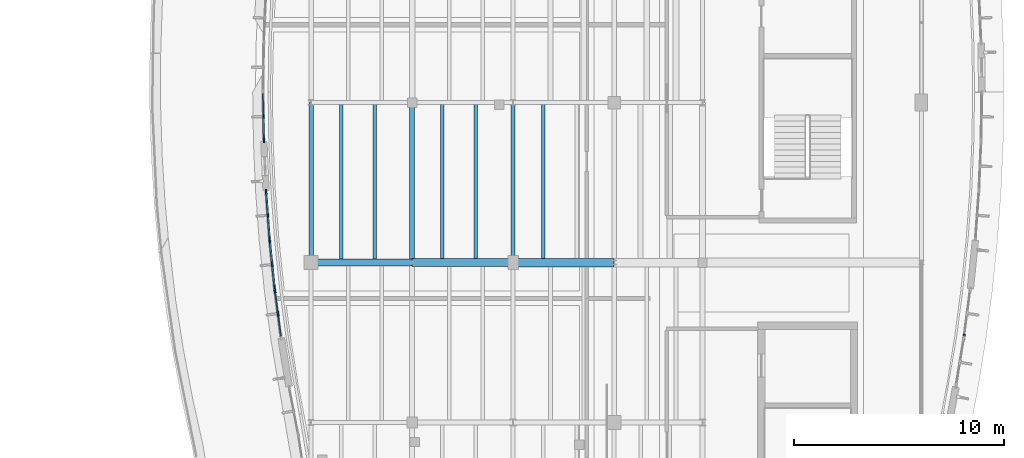
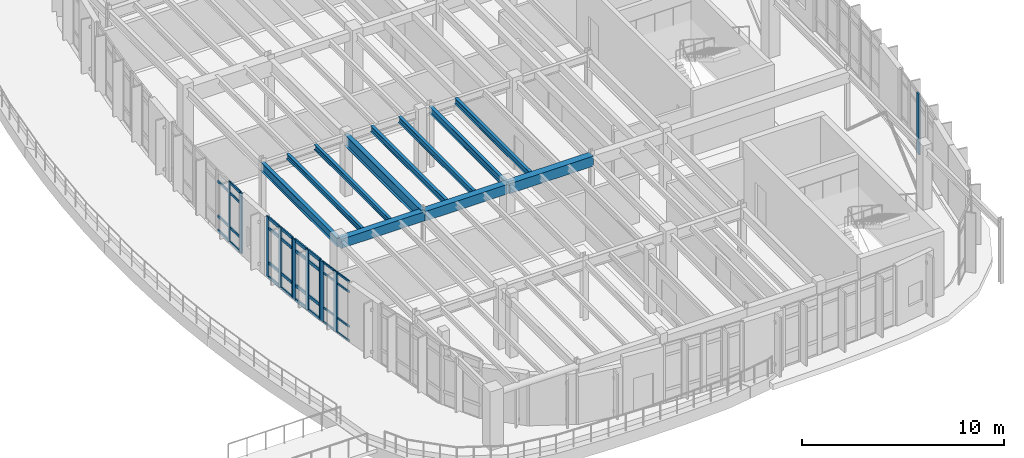
# One storey, part 43 of 105: 42 members, 11 beams, 5 elements without a shape of their own.
"""IFC4 building model written with IfcOpenShell, lengths in metres."""

import ifcopenshell
import ifcopenshell.guid

model = None  # the IFC model being written
_history = None  # IfcOwnerHistory: only IFC2X3 demands one
_inside = {}  # id of a spatial element -> (the spatial element, [elements in it])
_under = {}  # id of a project, library or spatial element -> (it, [spatial elements below it])
_declared = {}  # id of a project -> (the project, [libraries it declares])
_typed = {}  # id of a type object -> (the type object, [elements of that type])
_made_of = {}  # id of a material, layer set ... -> (it, [elements and type objects made of it])


def new_model(schema):
    """Start an empty IFC model of exactly this schema.

    Asked for "IFC4X3", IfcOpenShell would pick the latest addendum, in which some entities
    have other attributes; the version numbers below select the first issue.
    IFC2X3 requires an IfcOwnerHistory on every rooted entity: one is made here for all.
    """
    global model, _history
    if schema == "IFC4X3":
        model = ifcopenshell.file(schema_version=(4, 3, 0, 0))
    else:
        model = ifcopenshell.file(schema=schema)
    _inside.clear()
    _under.clear()
    _declared.clear()
    _typed.clear()
    _made_of.clear()
    _history = None
    if model.schema == "IFC2X3":
        org = make("IfcOrganization", Name="unknown")
        user = make(
            "IfcPersonAndOrganization",
            ThePerson=make("IfcPerson", FamilyName="unknown"),
            TheOrganization=org,
        )
        app = make(
            "IfcApplication",
            ApplicationDeveloper=org,
            Version="unknown",
            ApplicationFullName="unknown",
            ApplicationIdentifier="unknown",
        )
        _history = make(
            "IfcOwnerHistory",
            OwningUser=user,
            OwningApplication=app,
            ChangeAction="ADDED",
            CreationDate=0,
        )
    return model


def make(cls, **values):
    """One entity of the class cls with the attributes given. An attribute that is None is left unset."""
    return model.create_entity(
        cls, **{name: value for name, value in values.items() if value is not None}
    )


def rooted(cls, **values):
    """An entity with a GlobalId (a new one), such as an element, a storey or a relation."""
    return make(cls, GlobalId=ifcopenshell.guid.new(), OwnerHistory=_history, **values)


def si_unit(unit_type, name, prefix=None):
    """IfcSIUnit, for example si_unit("LENGTHUNIT", "METRE", prefix="MILLI")."""
    return make("IfcSIUnit", UnitType=unit_type, Prefix=prefix, Name=name)


def assignment(units):
    """IfcUnitAssignment: the units of a project."""
    return None if units is None else make("IfcUnitAssignment", Units=units)


def point(xyz):
    """IfcCartesianPoint."""
    return None if xyz is None else make("IfcCartesianPoint", Coordinates=xyz)


def direction(xyz):
    """IfcDirection."""
    return None if xyz is None else make("IfcDirection", DirectionRatios=xyz)


def frame(location, z_axis=None, x_axis=None):
    """IfcAxis2Placement3D, a coordinate frame: its origin and axes. An axis left out is left unset."""
    return make(
        "IfcAxis2Placement3D",
        Location=point(location),
        Axis=direction(z_axis),
        RefDirection=direction(x_axis),
    )


def frame_2d(location, x_axis=None):
    """IfcAxis2Placement2D, a coordinate frame in the plane: its origin and x axis."""
    return make(
        "IfcAxis2Placement2D", Location=point(location), RefDirection=direction(x_axis)
    )


def origin():
    """The frame at (0, 0, 0) with its axes left unset."""
    return frame((0.0, 0.0, 0.0))


def origin_2d():
    """The frame at (0, 0) in the plane with its x axis left unset."""
    return frame_2d((0.0, 0.0))


def place(relative_to, where):
    """IfcLocalPlacement: puts the frame where relative to a parent placement (None: the world)."""
    return make(
        "IfcLocalPlacement", PlacementRelTo=relative_to, RelativePlacement=where
    )


def context(
    kind, dimensions, precision=None, world=None, true_north=None, identifier=None
):
    """IfcGeometricRepresentationContext, for example the 3D "Model" context."""
    return make(
        "IfcGeometricRepresentationContext",
        ContextIdentifier=identifier,
        ContextType=kind,
        CoordinateSpaceDimension=dimensions,
        Precision=precision,
        WorldCoordinateSystem=world,
        TrueNorth=true_north,
    )


def subcontext(parent, identifier, kind, view, scale=None):
    """IfcGeometricRepresentationSubContext, for example "Body" below "Model"."""
    return make(
        "IfcGeometricRepresentationSubContext",
        ContextIdentifier=identifier,
        ContextType=kind,
        ParentContext=parent,
        TargetScale=scale,
        TargetView=view,
    )


def project(units=None, contexts=None):
    """IfcProject with its units and contexts."""
    return rooted(
        "IfcProject",
        Name="project",
        RepresentationContexts=contexts,
        UnitsInContext=assignment(units),
    )


def spatial(cls, under=None, at=None, **own):
    """A site, building, storey or space (cls), placed at a placement, below another one or the project."""
    s = rooted(cls, ObjectPlacement=at, **own)
    if under is not None:
        _under.setdefault(under.id(), (under, []))[1].append(s)
    return s


def profile(cls, at=None, kind="AREA", **sizes):
    """A parametric profile (cls). Its sizes go by their IFC names, for example OverallWidth=200.0."""
    return make(cls, ProfileType=kind, Position=at, **sizes)


def rectangle(**sizes):
    """IfcRectangleProfileDef."""
    return profile("IfcRectangleProfileDef", **sizes)


def i_section(**sizes):
    """IfcIShapeProfileDef."""
    return profile("IfcIShapeProfileDef", **sizes)


def extrude(swept, where, along, depth):
    """IfcExtrudedAreaSolid: the profile swept, set in the frame where, extruded along a direction by depth."""
    return make(
        "IfcExtrudedAreaSolid",
        SweptArea=swept,
        Position=where,
        ExtrudedDirection=direction(along),
        Depth=depth,
    )


def shape(context_of_items, identifier, shape_type, items):
    """IfcShapeRepresentation: the items that make up one representation, for example the "Body"."""
    return make(
        "IfcShapeRepresentation",
        ContextOfItems=context_of_items,
        RepresentationIdentifier=identifier,
        RepresentationType=shape_type,
        Items=items,
    )


def material(Name=None, Category=None):
    """IfcMaterial."""
    return make("IfcMaterial", Name=Name, Category=Category)


def material_profile(
    of_material, cross_section, Name=None, Category=None, Priority=None
):
    """IfcMaterialProfile: a cross section and its material."""
    return make(
        "IfcMaterialProfile",
        Name=Name,
        Material=of_material,
        Profile=cross_section,
        Priority=Priority,
        Category=Category,
    )


def profile_set(profiles, Name=None, composite=None):
    """IfcMaterialProfileSet."""
    return make(
        "IfcMaterialProfileSet",
        Name=Name,
        MaterialProfiles=profiles,
        CompositeProfile=composite,
    )


def made_of(thing, what):
    """Note that an element or type object is made of a material, layer set ...; save() writes the relation."""
    if what is not None:
        _made_of.setdefault(what.id(), (what, []))[1].append(thing)
    return thing


def type_object(cls, material=None, **own):
    """A type object (cls), such as IfcWallType, which elements share."""
    return made_of(rooted(cls, **own), material)


def element(
    cls,
    number,
    at=None,
    inside=None,
    cuts=None,
    type_object=None,
    material=None,
    context=None,
    identifier="Body",
    shape_type=None,
    held_by="IfcProductDefinitionShape",
    body=None,
    shapes=None,
    **own,
):
    """One element of the class cls, such as IfcWall. Its Tag is "e" and its number.

    at: its placement. inside: the storey or other place that contains it. cuts: it is an
    opening in that element (IfcRelVoidsElement). A single representation is given by context,
    identifier, shape_type and body (its items); several are given by shapes. held_by: the class
    of the entity that holds the representations. save() writes the other relations.
    """
    e = rooted(cls, Tag="e%d" % number, ObjectPlacement=at, **own)
    if body is not None:
        shapes = [shape(context, identifier, shape_type, body)]
    if shapes is not None:
        e.Representation = make(held_by, Representations=shapes)
    if inside is not None:
        _inside.setdefault(inside.id(), (inside, []))[1].append(e)
    if cuts is not None:
        rooted(
            "IfcRelVoidsElement", RelatingBuildingElement=cuts, RelatedOpeningElement=e
        )
    if type_object is not None:
        _typed.setdefault(type_object.id(), (type_object, []))[1].append(e)
    return made_of(e, material)


def aggregate(whole, parts):
    """IfcRelAggregates: a whole, such as a stair, and the parts it consists of."""
    return rooted("IfcRelAggregates", RelatingObject=whole, RelatedObjects=parts)


def save(model, path):
    """Write the relations noted so far, then the file.

    IfcRelAggregates (storeys below a building ...), IfcRelContainedInSpatialStructure (elements
    in a storey), IfcRelDefinesByType, IfcRelAssociatesMaterial and IfcRelDeclares: one each for
    every whole, place, type object, material and project.
    """
    for whole, parts in _under.values():
        aggregate(whole, parts)
    for where, things in _inside.values():
        rooted(
            "IfcRelContainedInSpatialStructure",
            RelatedElements=things,
            RelatingStructure=where,
        )
    for kind, things in _typed.values():
        rooted("IfcRelDefinesByType", RelatedObjects=things, RelatingType=kind)
    for what, things in _made_of.values():
        rooted("IfcRelAssociatesMaterial", RelatedObjects=things, RelatingMaterial=what)
    for by, libraries in _declared.values():
        rooted("IfcRelDeclares", RelatingContext=by, RelatedDefinitions=libraries)
    model.write(path)


model = new_model("IFC4")

# Units and contexts
model_context = context("Model", 3, precision=1e-05, world=origin(), true_north=direction((0.0, 1.0)))
body_context = subcontext(model_context, "Body", "Model", "MODEL_VIEW")
ifc_project = project(units=[si_unit("LENGTHUNIT", "METRE"), si_unit("AREAUNIT", "SQUARE_METRE"), si_unit("VOLUMEUNIT", "CUBIC_METRE"), si_unit("PLANEANGLEUNIT", "RADIAN"), si_unit("MASSUNIT", "GRAM", prefix="KILO")], contexts=[model_context])

# Site, building, storey
site_placement = place(None, origin())
site = spatial("IfcSite", under=ifc_project, at=site_placement, CompositionType="ELEMENT")
building_placement = place(site_placement, origin())
building = spatial("IfcBuilding", under=site, at=building_placement, Name="Corveleigh Park Community Centre", CompositionType="ELEMENT")
storey_placement = place(building_placement, frame((0.0, 0.0, 8.699951171875)))
storey = spatial("IfcBuildingStorey", under=building, at=storey_placement, Name="L02", CompositionType="ELEMENT", Elevation=8.699951171875)

# Beams
ifc_material_1 = material(Name="Concrete C40/50", Category="concrete")
ifc_material_profile_1 = material_profile(ifc_material_1, rectangle(XDim=0.35009765625, YDim=0.550048828125, at=origin_2d()), Name="RC-350x550", Category="concrete")
ifc_profile_set_1 = profile_set([ifc_material_profile_1], Name="Concrete C40/50")
beam_type_1 = type_object("IfcBeamType", Name="BM-RC-350x550", PredefinedType="BEAM", material=ifc_profile_set_1)
beam_1_placement = place(storey_placement, frame((139.405029296875, 73.800048828125, 3.362060546875), z_axis=(1.0, 0.0, 0.0), x_axis=(0.0, 1.0, 0.0)))
element("IfcBeam", 1, at=beam_1_placement, inside=storey, type_object=beam_type_1, Name="V4 Girder X", PredefinedType="BEAM", context=body_context, shape_type="SweptSolid", body=[
    extrude(rectangle(XDim=0.35009765625, YDim=0.550048828125, at=origin_2d()), origin(), (0.0, 0.0, 1.0), 4.7900390625),
])
ifc_material_profile_2 = material_profile(ifc_material_1, rectangle(XDim=0.375, YDim=0.574951171875, at=origin_2d()), Name="RC-375x575", Category="concrete")
ifc_profile_set_2 = profile_set([ifc_material_profile_2], Name="Concrete C40/50")
beam_type_2 = type_object("IfcBeamType", Name="BM-RC-375x575", PredefinedType="BEAM", material=ifc_profile_set_2)
beam_2_placement = place(storey_placement, frame((144.205078125, 73.800048828125, 3.3544921875), z_axis=(1.0, 0.0, 0.0), x_axis=(0.0, 1.0, 0.0)))
element("IfcBeam", 2, at=beam_2_placement, inside=storey, type_object=beam_type_2, Name="V4 Girder X", PredefinedType="BEAM", context=body_context, shape_type="SweptSolid", body=[
    extrude(rectangle(XDim=0.375, YDim=0.574951171875, at=origin_2d()), origin(), (0.0, 0.0, 1.0), 4.7900390625),
])
ifc_material_profile_3 = material_profile(ifc_material_1, rectangle(XDim=0.39990234375, YDim=0.60009765625, at=origin_2d()), Name="RC-400x600", Category="concrete")
ifc_profile_set_3 = profile_set([ifc_material_profile_3], Name="Concrete C40/50")
beam_type_3 = type_object("IfcBeamType", Name="BM-RC-400x600", PredefinedType="BEAM", material=ifc_profile_set_3)
beam_3_placement = place(storey_placement, frame((149.0048828125, 73.800048828125, 3.342041015625), z_axis=(1.0, 0.0, 0.0), x_axis=(0.0, 1.0, 0.0)))
element("IfcBeam", 3, at=beam_3_placement, inside=storey, type_object=beam_type_3, Name="V4 Girder X", PredefinedType="BEAM", context=body_context, shape_type="SweptSolid", body=[
    extrude(rectangle(XDim=0.39990234375, YDim=0.60009765625, at=origin_2d()), origin(), (0.0, 0.0, 1.0), 4.7900390625),
])
ifc_material_2 = material(Name="Steel S355", Category="steel")
ifc_material_profile_4 = material_profile(ifc_material_2, i_section(OverallWidth=0.1669921875, OverallDepth=0.310302734375, WebThickness=0.0078125, FlangeThickness=0.013671875, at=origin_2d()), Name="UKB 305x165x54", Category="steel")
ifc_profile_set_4 = profile_set([ifc_material_profile_4], Name="Steel S355")
beam_type_4 = type_object("IfcBeamType", Name="BM-STL-UKB305x54", PredefinedType="JOIST", material=ifc_profile_set_4)
for number, where, z_axis, x_axis, name in (
    (4, (140.840087890625, 73.804931640625, 3.48193359375), (0.0, 1.0, 0.0), (-1.0, 0.0, 0.0), "Secondary floor joist"),
    (5, (142.424072265625, 73.804931640625, 3.48193359375), (0.0, 1.0, 0.0), (-1.0, 0.0, 0.0), "Secondary floor joist"),
):
    element("IfcBeam", number, at=place(storey_placement, frame(where, z_axis=z_axis, x_axis=x_axis)), inside=storey, type_object=beam_type_4, Name=name, PredefinedType="JOIST", context=body_context, shape_type="SweptSolid", body=[
        extrude(i_section(OverallWidth=0.1669921875, OverallDepth=0.310302734375, WebThickness=0.0078125, FlangeThickness=0.013671875, at=origin_2d()), origin(), (0.0, 0.0, 1.0), 7.590087890625),
    ])
ifc_material_profile_5 = material_profile(ifc_material_2, i_section(OverallWidth=0.171142578125, OverallDepth=0.351318359375, WebThickness=0.007080078125, FlangeThickness=0.009765625, at=origin_2d()), Name="UKB 356x171x45", Category="steel")
ifc_profile_set_5 = profile_set([ifc_material_profile_5], Name="Steel S355")
beam_type_5 = type_object("IfcBeamType", Name="BM-STL-UKB356x45", PredefinedType="JOIST", material=ifc_profile_set_5)
for number, where, z_axis, x_axis, name in (
    (6, (145.639892578125, 73.804931640625, 3.46630859375), (0.0, 1.0, 0.0), (-1.0, 0.0, 0.0), "Secondary floor joist"),
    (7, (147.22412109375, 73.804931640625, 3.46630859375), (0.0, 1.0, 0.0), (-1.0, 0.0, 0.0), "Secondary floor joist"),
):
    element("IfcBeam", number, at=place(storey_placement, frame(where, z_axis=z_axis, x_axis=x_axis)), inside=storey, type_object=beam_type_5, Name=name, PredefinedType="JOIST", context=body_context, shape_type="SweptSolid", body=[
        extrude(i_section(OverallWidth=0.171142578125, OverallDepth=0.351318359375, WebThickness=0.007080078125, FlangeThickness=0.009765625, at=origin_2d()), origin(), (0.0, 0.0, 1.0), 7.590087890625),
    ])
ifc_material_profile_6 = material_profile(ifc_material_2, i_section(OverallWidth=0.17138671875, OverallDepth=0.35498046875, WebThickness=0.00732421875, FlangeThickness=0.011474609375, at=origin_2d()), Name="UKB 356x171x51", Category="steel")
ifc_profile_set_6 = profile_set([ifc_material_profile_6], Name="Steel S355")
beam_type_6 = type_object("IfcBeamType", Name="BM-STL-UKB356x51", PredefinedType="JOIST", material=ifc_profile_set_6)
beam_4_placement = place(storey_placement, frame((150.43994140625, 73.804931640625, 3.464599609375), z_axis=(0.0, 1.0, 0.0), x_axis=(-1.0, 0.0, 0.0)))
element("IfcBeam", 8, at=beam_4_placement, inside=storey, type_object=beam_type_6, Name="Secondary floor joist", PredefinedType="JOIST", context=body_context, shape_type="SweptSolid", body=[
    extrude(i_section(OverallWidth=0.17138671875, OverallDepth=0.35498046875, WebThickness=0.00732421875, FlangeThickness=0.011474609375, at=origin_2d()), origin(), (0.0, 0.0, 1.0), 7.590087890625),
])
ifc_material_profile_7 = material_profile(ifc_material_2, i_section(OverallWidth=0.179443359375, OverallDepth=0.412841796875, WebThickness=0.009521484375, FlangeThickness=0.01611328125, at=origin_2d()), Name="UKB 406x178x74", Category="steel")
ifc_profile_set_7 = profile_set([ifc_material_profile_7], Name="Steel S355")
beam_type_7 = type_object("IfcBeamType", Name="BM-STL-UKB406x74", PredefinedType="BEAM", material=ifc_profile_set_7)
beam_5_placement = place(storey_placement, frame((149.0, 73.804931640625, 3.435546875), z_axis=(0.0, 1.0, 0.0), x_axis=(-1.0, 0.0, 0.0)))
element("IfcBeam", 9, at=beam_5_placement, inside=storey, type_object=beam_type_7, Name="V4 Girder Y", PredefinedType="BEAM", context=body_context, shape_type="SweptSolid", body=[
    extrude(i_section(OverallWidth=0.179443359375, OverallDepth=0.412841796875, WebThickness=0.009521484375, FlangeThickness=0.01611328125, at=origin_2d()), origin(), (0.0, 0.0, 1.0), 7.590087890625),
])
ifc_material_profile_8 = material_profile(ifc_material_2, i_section(OverallWidth=0.209228515625, OverallDepth=0.533203125, WebThickness=0.010009765625, FlangeThickness=0.015625, at=origin_2d()), Name="UKB 533x210x92", Category="steel")
ifc_profile_set_8 = profile_set([ifc_material_profile_8], Name="Steel S355")
beam_type_8 = type_object("IfcBeamType", Name="BM-STL-UKB533x92", PredefinedType="BEAM", material=ifc_profile_set_8)
beam_6_placement = place(storey_placement, frame((139.39990234375, 73.804931640625, 3.370361328125), z_axis=(0.0, 1.0, 0.0), x_axis=(-1.0, 0.0, 0.0)))
element("IfcBeam", 10, at=beam_6_placement, inside=storey, type_object=beam_type_8, Name="V4 Girder Y", PredefinedType="BEAM", context=body_context, shape_type="SweptSolid", body=[
    extrude(i_section(OverallWidth=0.209228515625, OverallDepth=0.533203125, WebThickness=0.010009765625, FlangeThickness=0.015625, at=origin_2d()), origin(), (0.0, 0.0, 1.0), 7.590087890625),
])
ifc_material_profile_9 = material_profile(ifc_material_2, i_section(OverallWidth=0.25439453125, OverallDepth=0.6875, WebThickness=0.01318359375, FlangeThickness=0.02099609375, at=origin_2d()), Name="UKB 686x254x152", Category="steel")
ifc_profile_set_9 = profile_set([ifc_material_profile_9], Name="Steel S355")
beam_type_9 = type_object("IfcBeamType", Name="BM-STL-UKB686x152", PredefinedType="BEAM", material=ifc_profile_set_9)
beam_7_placement = place(storey_placement, frame((144.199951171875, 73.804931640625, 3.29833984375), z_axis=(0.0, 1.0, 0.0), x_axis=(-1.0, 0.0, 0.0)))
element("IfcBeam", 11, at=beam_7_placement, inside=storey, type_object=beam_type_9, Name="V4 Girder Y", PredefinedType="BEAM", context=body_context, shape_type="SweptSolid", body=[
    extrude(i_section(OverallWidth=0.25439453125, OverallDepth=0.6875, WebThickness=0.01318359375, FlangeThickness=0.02099609375, at=origin_2d()), origin(), (0.0, 0.0, 1.0), 7.590087890625),
])

# Curtain wall, members
ifc_material_3 = material(Name="Anodised aluminium 6063-T6", Category="aluminium")
curtain_wall_type = type_object("IfcCurtainWallType", Name="CW-SYS-V4-L01", PredefinedType="NOTDEFINED", material=ifc_material_3)
curtain_wall_1_placement = place(storey_placement, origin())
curtain_wall_1 = element("IfcCurtainWall", 12, at=curtain_wall_1_placement, inside=storey, type_object=curtain_wall_type, Name="V4 L02 Curtain Wall 393", PredefinedType="NOTDEFINED")
ifc_material_profile_10 = material_profile(ifc_material_3, rectangle(XDim=0.070068359375, YDim=0.199951171875, at=origin_2d()), Name="ALU-M70x200", Category="aluminium")
ifc_profile_set_10 = profile_set([ifc_material_profile_10], Name="Anodised aluminium 6063-T6")
member_type_1 = type_object("IfcMemberType", Name="CWM-70x200", PredefinedType="MULLION", material=ifc_profile_set_10)
member_1_placement = place(storey_placement, frame((137.156494140625, 79.598876953125, 0.0), z_axis=(0.0, 0.0, 1.0), x_axis=(-0.999893275153, -0.014609527863, 0.0)))
member_1 = element("IfcMember", 13, at=member_1_placement, type_object=member_type_1, Name="CW08 mullion 1", PredefinedType="MULLION", context=body_context, shape_type="SweptSolid", body=[
    extrude(rectangle(XDim=0.070068359375, YDim=0.199951171875, at=origin_2d()), origin(), (0.0, 0.0, 1.0), 3.636962890625),
])
member_2_placement = place(storey_placement, frame((137.139892578125, 80.7275390625, 0.0), z_axis=(0.0, 0.0, 1.0), x_axis=(-0.999893275153, -0.014609527863, 0.0)))
member_2 = element("IfcMember", 14, at=member_2_placement, type_object=member_type_1, Name="CW08 mullion 2", PredefinedType="MULLION", context=body_context, shape_type="SweptSolid", body=[
    extrude(rectangle(XDim=0.070068359375, YDim=0.199951171875, at=origin_2d()), origin(), (0.0, 0.0, 1.0), 3.636962890625),
])

curtain_wall_2_placement = place(storey_placement, origin())
curtain_wall_2 = element("IfcCurtainWall", 15, at=curtain_wall_2_placement, inside=storey, type_object=curtain_wall_type, Name="V4 L02 Curtain Wall 394", PredefinedType="NOTDEFINED")
ifc_material_profile_11 = material_profile(ifc_material_3, rectangle(XDim=0.074951171875, YDim=0.219970703125, at=origin_2d()), Name="ALU-M75x220", Category="aluminium")
ifc_profile_set_11 = profile_set([ifc_material_profile_11], Name="Anodised aluminium 6063-T6")
member_type_2 = type_object("IfcMemberType", Name="CWM-75x220", PredefinedType="MULLION", material=ifc_profile_set_11)
member_3_placement = place(storey_placement, frame((137.42822265625, 74.92041015625, 0.0), z_axis=(0.0, 0.0, 1.0), x_axis=(-0.997328381483, -0.073048610443, 0.0)))
member_3 = element("IfcMember", 16, at=member_3_placement, type_object=member_type_2, Name="CW08 mullion 1", PredefinedType="MULLION", context=body_context, shape_type="SweptSolid", body=[
    extrude(rectangle(XDim=0.074951171875, YDim=0.219970703125, at=origin_2d()), origin(), (0.0, 0.0, 1.0), 3.636962890625),
])
member_4_placement = place(storey_placement, frame((137.345947265625, 76.04345703125, 0.0), z_axis=(0.0, 0.0, 1.0), x_axis=(-0.997328381483, -0.073048610443, 0.0)))
member_4 = element("IfcMember", 17, at=member_4_placement, type_object=member_type_2, Name="CW08 mullion 2", PredefinedType="MULLION", context=body_context, shape_type="SweptSolid", body=[
    extrude(rectangle(XDim=0.074951171875, YDim=0.219970703125, at=origin_2d()), origin(), (0.0, 0.0, 1.0), 3.636962890625),
])
member_5_placement = place(storey_placement, frame((137.263671875, 77.16650390625, 0.0), z_axis=(0.0, 0.0, 1.0), x_axis=(-0.997328381483, -0.073048610443, 0.0)))
member_5 = element("IfcMember", 18, at=member_5_placement, type_object=member_type_2, Name="CW08 mullion 3", PredefinedType="MULLION", context=body_context, shape_type="SweptSolid", body=[
    extrude(rectangle(XDim=0.074951171875, YDim=0.219970703125, at=origin_2d()), origin(), (0.0, 0.0, 1.0), 3.636962890625),
])

curtain_wall_3_placement = place(storey_placement, origin())
curtain_wall_3 = element("IfcCurtainWall", 19, at=curtain_wall_3_placement, inside=storey, type_object=curtain_wall_type, Name="V4 L02 Curtain Wall 395", PredefinedType="NOTDEFINED")
ifc_material_profile_12 = material_profile(ifc_material_3, rectangle(XDim=0.080078125, YDim=0.25, at=origin_2d()), Name="ALU-M80x250", Category="aluminium")
ifc_profile_set_12 = profile_set([ifc_material_profile_12], Name="Anodised aluminium 6063-T6")
member_type_3 = type_object("IfcMemberType", Name="CWM-80x250", PredefinedType="MULLION", material=ifc_profile_set_12)
member_6_placement = place(storey_placement, frame((137.6669921875, 72.5908203125, 0.0), z_axis=(0.0, 0.0, 1.0), x_axis=(-0.994752310371, -0.102312467526, 0.0)))
member_6 = element("IfcMember", 20, at=member_6_placement, type_object=member_type_3, Name="CW08 mullion 1", PredefinedType="MULLION", context=body_context, shape_type="SweptSolid", body=[
    extrude(rectangle(XDim=0.080078125, YDim=0.25, at=origin_2d()), origin(), (0.0, 0.0, 1.0), 3.636962890625),
])
member_7_placement = place(storey_placement, frame((137.552001953125, 73.7080078125, 0.0), z_axis=(0.0, 0.0, 1.0), x_axis=(-0.994752310371, -0.102312467526, 0.0)))
member_7 = element("IfcMember", 21, at=member_7_placement, type_object=member_type_3, Name="CW08 mullion 2", PredefinedType="MULLION", context=body_context, shape_type="SweptSolid", body=[
    extrude(rectangle(XDim=0.080078125, YDim=0.25, at=origin_2d()), origin(), (0.0, 0.0, 1.0), 3.636962890625),
])
member_8_placement = place(storey_placement, frame((137.43701171875, 74.8251953125, 0.0), z_axis=(0.0, 0.0, 1.0), x_axis=(-0.994752310371, -0.102312467526, 0.0)))
member_8 = element("IfcMember", 22, at=member_8_placement, type_object=member_type_3, Name="CW08 mullion 3", PredefinedType="MULLION", context=body_context, shape_type="SweptSolid", body=[
    extrude(rectangle(XDim=0.080078125, YDim=0.25, at=origin_2d()), origin(), (0.0, 0.0, 1.0), 3.636962890625),
])

# Curtain wall, member
curtain_wall_4_placement = place(storey_placement, origin())
curtain_wall_4 = element("IfcCurtainWall", 23, at=curtain_wall_4_placement, inside=storey, type_object=curtain_wall_type, Name="V4 L02 Curtain Wall 366", PredefinedType="NOTDEFINED")
ifc_material_profile_13 = material_profile(ifc_material_3, rectangle(XDim=0.0849609375, YDim=0.27490234375, at=origin_2d()), Name="ALU-M85x275", Category="aluminium")
ifc_profile_set_13 = profile_set([ifc_material_profile_13], Name="Anodised aluminium 6063-T6")
member_type_4 = type_object("IfcMemberType", Name="CWM-85x275", PredefinedType="MULLION", material=ifc_profile_set_13)
member_9_placement = place(storey_placement, frame((170.426513671875, 70.26806640625, 0.0), z_axis=(0.0, 0.0, 1.0), x_axis=(0.991317738614, -0.131488178592, 0.0)))
member_9 = element("IfcMember", 24, at=member_9_placement, type_object=member_type_4, Name="CW08 mullion 3", PredefinedType="MULLION", context=body_context, shape_type="SweptSolid", body=[
    extrude(rectangle(XDim=0.0849609375, YDim=0.27490234375, at=origin_2d()), origin(), (0.0, 0.0, 1.0), 3.64208984375),
])
aggregate(curtain_wall_4, [member_9])

# Curtain wall, members
curtain_wall_5_placement = place(storey_placement, origin())
curtain_wall_5 = element("IfcCurtainWall", 25, at=curtain_wall_5_placement, inside=storey, type_object=curtain_wall_type, Name="V4 L02 Curtain Wall 396", PredefinedType="NOTDEFINED")
member_10_placement = place(storey_placement, frame((137.825927734375, 71.37939453125, 0.0), z_axis=(0.0, 0.0, 1.0), x_axis=(-0.991317738614, -0.131488178592, 0.0)))
member_10 = element("IfcMember", 26, at=member_10_placement, type_object=member_type_4, Name="CW08 mullion 2", PredefinedType="MULLION", context=body_context, shape_type="SweptSolid", body=[
    extrude(rectangle(XDim=0.0849609375, YDim=0.27490234375, at=origin_2d()), origin(), (0.0, 0.0, 1.0), 3.636962890625),
])
member_11_placement = place(storey_placement, frame((137.678466796875, 72.490966796875, 0.0), z_axis=(0.0, 0.0, 1.0), x_axis=(-0.991317738614, -0.131488178592, 0.0)))
member_11 = element("IfcMember", 27, at=member_11_placement, type_object=member_type_4, Name="CW08 mullion 3", PredefinedType="MULLION", context=body_context, shape_type="SweptSolid", body=[
    extrude(rectangle(XDim=0.0849609375, YDim=0.27490234375, at=origin_2d()), origin(), (0.0, 0.0, 1.0), 3.636962890625),
])
ifc_material_profile_14 = material_profile(ifc_material_3, rectangle(XDim=0.06005859375, YDim=0.1201171875, at=origin_2d()), Name="ALU-T60x120", Category="aluminium")
ifc_profile_set_14 = profile_set([ifc_material_profile_14], Name="Anodised aluminium 6063-T6")
member_type_5 = type_object("IfcMemberType", Name="CWT-60x120", PredefinedType="USERDEFINED", material=ifc_profile_set_14)
member_12_placement = place(storey_placement, frame((137.9677734375, 70.310302734375, 0.030029296875), z_axis=(-0.13148456515, 0.991318217893, 0.0), x_axis=(-0.991318217893, -0.13148456515, 0.0)))
member_12 = element("IfcMember", 28, at=member_12_placement, type_object=member_type_5, Name="CW08 transom 1.1", ObjectType="TRANSOM", PredefinedType="USERDEFINED", context=body_context, shape_type="SweptSolid", body=[
    extrude(rectangle(XDim=0.06005859375, YDim=0.1201171875, at=origin_2d()), origin(), (0.0, 0.0, 1.0), 1.0361328125),
])
member_13_placement = place(storey_placement, frame((137.9677734375, 70.310302734375, 0.900146484375), z_axis=(-0.13148456515, 0.991318217893, 0.0), x_axis=(-0.991318217893, -0.13148456515, 0.0)))
member_13 = element("IfcMember", 29, at=member_13_placement, type_object=member_type_5, Name="CW08 transom 1.2", ObjectType="TRANSOM", PredefinedType="USERDEFINED", context=body_context, shape_type="SweptSolid", body=[
    extrude(rectangle(XDim=0.06005859375, YDim=0.1201171875, at=origin_2d()), origin(), (0.0, 0.0, 1.0), 1.0361328125),
])
member_14_placement = place(storey_placement, frame((137.9677734375, 70.310302734375, 2.987060546875), z_axis=(-0.13148456515, 0.991318217893, 0.0), x_axis=(-0.991318217893, -0.13148456515, 0.0)))
member_14 = element("IfcMember", 30, at=member_14_placement, type_object=member_type_5, Name="CW08 transom 1.3", ObjectType="TRANSOM", PredefinedType="USERDEFINED", context=body_context, shape_type="SweptSolid", body=[
    extrude(rectangle(XDim=0.06005859375, YDim=0.1201171875, at=origin_2d()), origin(), (0.0, 0.0, 1.0), 1.0361328125),
])
member_15_placement = place(storey_placement, frame((137.9677734375, 70.310302734375, 3.60693359375), z_axis=(-0.13148456515, 0.991318217893, 0.0), x_axis=(-0.991318217893, -0.13148456515, 0.0)))
member_15 = element("IfcMember", 31, at=member_15_placement, type_object=member_type_5, Name="CW08 transom 1.4", ObjectType="TRANSOM", PredefinedType="USERDEFINED", context=body_context, shape_type="SweptSolid", body=[
    extrude(rectangle(XDim=0.06005859375, YDim=0.1201171875, at=origin_2d()), origin(), (0.0, 0.0, 1.0), 1.0361328125),
])
member_16_placement = place(storey_placement, frame((137.8203125, 71.421630859375, 0.030029296875), z_axis=(-0.13148456515, 0.991318217893, 0.0), x_axis=(-0.991318217893, -0.13148456515, 0.0)))
member_16 = element("IfcMember", 32, at=member_16_placement, type_object=member_type_5, Name="CW08 transom 2.1", ObjectType="TRANSOM", PredefinedType="USERDEFINED", context=body_context, shape_type="SweptSolid", body=[
    extrude(rectangle(XDim=0.06005859375, YDim=0.1201171875, at=origin_2d()), origin(), (0.0, 0.0, 1.0), 1.0361328125),
])
member_17_placement = place(storey_placement, frame((137.8203125, 71.421630859375, 0.900146484375), z_axis=(-0.13148456515, 0.991318217893, 0.0), x_axis=(-0.991318217893, -0.13148456515, 0.0)))
member_17 = element("IfcMember", 33, at=member_17_placement, type_object=member_type_5, Name="CW08 transom 2.2", ObjectType="TRANSOM", PredefinedType="USERDEFINED", context=body_context, shape_type="SweptSolid", body=[
    extrude(rectangle(XDim=0.06005859375, YDim=0.1201171875, at=origin_2d()), origin(), (0.0, 0.0, 1.0), 1.0361328125),
])
member_18_placement = place(storey_placement, frame((137.8203125, 71.421630859375, 2.987060546875), z_axis=(-0.13148456515, 0.991318217893, 0.0), x_axis=(-0.991318217893, -0.13148456515, 0.0)))
member_18 = element("IfcMember", 34, at=member_18_placement, type_object=member_type_5, Name="CW08 transom 2.3", ObjectType="TRANSOM", PredefinedType="USERDEFINED", context=body_context, shape_type="SweptSolid", body=[
    extrude(rectangle(XDim=0.06005859375, YDim=0.1201171875, at=origin_2d()), origin(), (0.0, 0.0, 1.0), 1.0361328125),
])
member_19_placement = place(storey_placement, frame((137.8203125, 71.421630859375, 3.60693359375), z_axis=(-0.13148456515, 0.991318217893, 0.0), x_axis=(-0.991318217893, -0.13148456515, 0.0)))
member_19 = element("IfcMember", 35, at=member_19_placement, type_object=member_type_5, Name="CW08 transom 2.4", ObjectType="TRANSOM", PredefinedType="USERDEFINED", context=body_context, shape_type="SweptSolid", body=[
    extrude(rectangle(XDim=0.06005859375, YDim=0.1201171875, at=origin_2d()), origin(), (0.0, 0.0, 1.0), 1.0361328125),
])
aggregate(curtain_wall_5, [member_10, member_11, member_12, member_13, member_14, member_15, member_16, member_17, member_18, member_19])

# Member
ifc_material_profile_15 = material_profile(ifc_material_3, rectangle(XDim=0.070068359375, YDim=0.155029296875, at=origin_2d()), Name="ALU-T70x155", Category="aluminium")
ifc_profile_set_15 = profile_set([ifc_material_profile_15], Name="Anodised aluminium 6063-T6")
member_type_6 = type_object("IfcMemberType", Name="CWT-70x155", PredefinedType="USERDEFINED", material=ifc_profile_set_15)
member_20_placement = place(storey_placement, frame((137.156005859375, 79.634033203125, 0.03515625), z_axis=(-0.014531337512, 0.999894414541, 0.0), x_axis=(-0.999894414541, -0.014531337512, 0.0)))
member_20 = element("IfcMember", 36, at=member_20_placement, type_object=member_type_6, Name="CW08 transom 1.1", ObjectType="TRANSOM", PredefinedType="USERDEFINED", context=body_context, shape_type="SweptSolid", body=[
    extrude(rectangle(XDim=0.070068359375, YDim=0.155029296875, at=origin_2d()), origin(), (0.0, 0.0, 1.0), 1.058349609375),
])

member_21_placement = place(storey_placement, frame((137.156005859375, 79.634033203125, 0.900146484375), z_axis=(-0.014531337512, 0.999894414541, 0.0), x_axis=(-0.999894414541, -0.014531337512, 0.0)))
member_21 = element("IfcMember", 37, at=member_21_placement, type_object=member_type_6, Name="CW08 transom 1.2", ObjectType="TRANSOM", PredefinedType="USERDEFINED", context=body_context, shape_type="SweptSolid", body=[
    extrude(rectangle(XDim=0.070068359375, YDim=0.155029296875, at=origin_2d()), origin(), (0.0, 0.0, 1.0), 1.058349609375),
])

member_22_placement = place(storey_placement, frame((137.156005859375, 79.634033203125, 2.987060546875), z_axis=(-0.014531337512, 0.999894414541, 0.0), x_axis=(-0.999894414541, -0.014531337512, 0.0)))
member_22 = element("IfcMember", 38, at=member_22_placement, type_object=member_type_6, Name="CW08 transom 1.3", ObjectType="TRANSOM", PredefinedType="USERDEFINED", context=body_context, shape_type="SweptSolid", body=[
    extrude(rectangle(XDim=0.070068359375, YDim=0.155029296875, at=origin_2d()), origin(), (0.0, 0.0, 1.0), 1.058349609375),
])

member_23_placement = place(storey_placement, frame((137.156005859375, 79.634033203125, 3.60205078125), z_axis=(-0.014531337512, 0.999894414541, 0.0), x_axis=(-0.999894414541, -0.014531337512, 0.0)))
member_23 = element("IfcMember", 39, at=member_23_placement, type_object=member_type_6, Name="CW08 transom 1.4", ObjectType="TRANSOM", PredefinedType="USERDEFINED", context=body_context, shape_type="SweptSolid", body=[
    extrude(rectangle(XDim=0.070068359375, YDim=0.155029296875, at=origin_2d()), origin(), (0.0, 0.0, 1.0), 1.058349609375),
])

member_24_placement = place(storey_placement, frame((137.139404296875, 80.762451171875, 0.03515625), z_axis=(-0.014527986897, 0.999894463229, 0.0), x_axis=(-0.999894463229, -0.014527986897, 0.0)))
member_24 = element("IfcMember", 40, at=member_24_placement, type_object=member_type_6, Name="CW08 transom 2.1", ObjectType="TRANSOM", PredefinedType="USERDEFINED", context=body_context, shape_type="SweptSolid", body=[
    extrude(rectangle(XDim=0.070068359375, YDim=0.155029296875, at=origin_2d()), origin(), (0.0, 0.0, 1.0), 1.05859375),
])

member_25_placement = place(storey_placement, frame((137.139404296875, 80.762451171875, 0.900146484375), z_axis=(-0.014527986897, 0.999894463229, 0.0), x_axis=(-0.999894463229, -0.014527986897, 0.0)))
member_25 = element("IfcMember", 41, at=member_25_placement, type_object=member_type_6, Name="CW08 transom 2.2", ObjectType="TRANSOM", PredefinedType="USERDEFINED", context=body_context, shape_type="SweptSolid", body=[
    extrude(rectangle(XDim=0.070068359375, YDim=0.155029296875, at=origin_2d()), origin(), (0.0, 0.0, 1.0), 1.05859375),
])

member_26_placement = place(storey_placement, frame((137.139404296875, 80.762451171875, 2.987060546875), z_axis=(-0.014527986897, 0.999894463229, 0.0), x_axis=(-0.999894463229, -0.014527986897, 0.0)))
member_26 = element("IfcMember", 42, at=member_26_placement, type_object=member_type_6, Name="CW08 transom 2.3", ObjectType="TRANSOM", PredefinedType="USERDEFINED", context=body_context, shape_type="SweptSolid", body=[
    extrude(rectangle(XDim=0.070068359375, YDim=0.155029296875, at=origin_2d()), origin(), (0.0, 0.0, 1.0), 1.05859375),
])

aggregate(curtain_wall_1, [member_1, member_2, member_20, member_21, member_22, member_23, member_24, member_25, member_26])

ifc_material_profile_16 = material_profile(ifc_material_3, rectangle(XDim=0.074951171875, YDim=0.175048828125, at=origin_2d()), Name="ALU-T75x175", Category="aluminium")
ifc_profile_set_16 = profile_set([ifc_material_profile_16], Name="Anodised aluminium 6063-T6")
member_type_7 = type_object("IfcMemberType", Name="CWT-75x175", PredefinedType="USERDEFINED", material=ifc_profile_set_16)
member_27_placement = place(storey_placement, frame((137.425537109375, 74.957763671875, 0.03759765625), z_axis=(-0.073161581666, 0.997320100554, 0.0), x_axis=(-0.997320100554, -0.073161581666, 0.0)))
member_27 = element("IfcMember", 43, at=member_27_placement, type_object=member_type_7, Name="CW08 transom 1.1", ObjectType="TRANSOM", PredefinedType="USERDEFINED", context=body_context, shape_type="SweptSolid", body=[
    extrude(rectangle(XDim=0.074951171875, YDim=0.175048828125, at=origin_2d()), origin(), (0.0, 0.0, 1.0), 1.05126953125),
])

member_28_placement = place(storey_placement, frame((137.425537109375, 74.957763671875, 0.900146484375), z_axis=(-0.073161581666, 0.997320100554, 0.0), x_axis=(-0.997320100554, -0.073161581666, 0.0)))
member_28 = element("IfcMember", 44, at=member_28_placement, type_object=member_type_7, Name="CW08 transom 1.2", ObjectType="TRANSOM", PredefinedType="USERDEFINED", context=body_context, shape_type="SweptSolid", body=[
    extrude(rectangle(XDim=0.074951171875, YDim=0.175048828125, at=origin_2d()), origin(), (0.0, 0.0, 1.0), 1.05126953125),
])

member_29_placement = place(storey_placement, frame((137.425537109375, 74.957763671875, 2.987060546875), z_axis=(-0.073161581666, 0.997320100554, 0.0), x_axis=(-0.997320100554, -0.073161581666, 0.0)))
member_29 = element("IfcMember", 45, at=member_29_placement, type_object=member_type_7, Name="CW08 transom 1.3", ObjectType="TRANSOM", PredefinedType="USERDEFINED", context=body_context, shape_type="SweptSolid", body=[
    extrude(rectangle(XDim=0.074951171875, YDim=0.175048828125, at=origin_2d()), origin(), (0.0, 0.0, 1.0), 1.05126953125),
])

member_30_placement = place(storey_placement, frame((137.425537109375, 74.957763671875, 3.599609375), z_axis=(-0.073161581666, 0.997320100554, 0.0), x_axis=(-0.997320100554, -0.073161581666, 0.0)))
member_30 = element("IfcMember", 46, at=member_30_placement, type_object=member_type_7, Name="CW08 transom 1.4", ObjectType="TRANSOM", PredefinedType="USERDEFINED", context=body_context, shape_type="SweptSolid", body=[
    extrude(rectangle(XDim=0.074951171875, YDim=0.175048828125, at=origin_2d()), origin(), (0.0, 0.0, 1.0), 1.05126953125),
])

member_31_placement = place(storey_placement, frame((137.34326171875, 76.080810546875, 0.03759765625), z_axis=(-0.073161581666, 0.997320100554, 0.0), x_axis=(-0.997320100554, -0.073161581666, 0.0)))
member_31 = element("IfcMember", 47, at=member_31_placement, type_object=member_type_7, Name="CW08 transom 2.1", ObjectType="TRANSOM", PredefinedType="USERDEFINED", context=body_context, shape_type="SweptSolid", body=[
    extrude(rectangle(XDim=0.074951171875, YDim=0.175048828125, at=origin_2d()), origin(), (0.0, 0.0, 1.0), 1.05126953125),
])

member_32_placement = place(storey_placement, frame((137.34326171875, 76.080810546875, 0.900146484375), z_axis=(-0.073161581666, 0.997320100554, 0.0), x_axis=(-0.997320100554, -0.073161581666, 0.0)))
member_32 = element("IfcMember", 48, at=member_32_placement, type_object=member_type_7, Name="CW08 transom 2.2", ObjectType="TRANSOM", PredefinedType="USERDEFINED", context=body_context, shape_type="SweptSolid", body=[
    extrude(rectangle(XDim=0.074951171875, YDim=0.175048828125, at=origin_2d()), origin(), (0.0, 0.0, 1.0), 1.05126953125),
])

member_33_placement = place(storey_placement, frame((137.34326171875, 76.080810546875, 2.987060546875), z_axis=(-0.073161581666, 0.997320100554, 0.0), x_axis=(-0.997320100554, -0.073161581666, 0.0)))
member_33 = element("IfcMember", 49, at=member_33_placement, type_object=member_type_7, Name="CW08 transom 2.3", ObjectType="TRANSOM", PredefinedType="USERDEFINED", context=body_context, shape_type="SweptSolid", body=[
    extrude(rectangle(XDim=0.074951171875, YDim=0.175048828125, at=origin_2d()), origin(), (0.0, 0.0, 1.0), 1.05126953125),
])

member_34_placement = place(storey_placement, frame((137.34326171875, 76.080810546875, 3.599609375), z_axis=(-0.073161581666, 0.997320100554, 0.0), x_axis=(-0.997320100554, -0.073161581666, 0.0)))
member_34 = element("IfcMember", 50, at=member_34_placement, type_object=member_type_7, Name="CW08 transom 2.4", ObjectType="TRANSOM", PredefinedType="USERDEFINED", context=body_context, shape_type="SweptSolid", body=[
    extrude(rectangle(XDim=0.074951171875, YDim=0.175048828125, at=origin_2d()), origin(), (0.0, 0.0, 1.0), 1.05126953125),
])

aggregate(curtain_wall_2, [member_3, member_4, member_5, member_27, member_28, member_29, member_30, member_31, member_32, member_33, member_34])

ifc_material_profile_17 = material_profile(ifc_material_3, rectangle(XDim=0.080078125, YDim=0.195068359375, at=origin_2d()), Name="ALU-T80x195", Category="aluminium")
ifc_profile_set_17 = profile_set([ifc_material_profile_17], Name="Anodised aluminium 6063-T6")
member_type_8 = type_object("IfcMemberType", Name="CWT-80x195", PredefinedType="USERDEFINED", material=ifc_profile_set_17)
member_35_placement = place(storey_placement, frame((137.662841796875, 72.630615234375, 0.0400390625), z_axis=(-0.102284241905, 0.994755213034, 0.0), x_axis=(-0.994755213034, -0.102284241905, 0.0)))
member_35 = element("IfcMember", 51, at=member_35_placement, type_object=member_type_8, Name="CW08 transom 1.1", ObjectType="TRANSOM", PredefinedType="USERDEFINED", context=body_context, shape_type="SweptSolid", body=[
    extrude(rectangle(XDim=0.080078125, YDim=0.195068359375, at=origin_2d()), origin(), (0.0, 0.0, 1.0), 1.04296875),
])

member_36_placement = place(storey_placement, frame((137.662841796875, 72.630615234375, 0.900146484375), z_axis=(-0.102284241905, 0.994755213034, 0.0), x_axis=(-0.994755213034, -0.102284241905, 0.0)))
member_36 = element("IfcMember", 52, at=member_36_placement, type_object=member_type_8, Name="CW08 transom 1.2", ObjectType="TRANSOM", PredefinedType="USERDEFINED", context=body_context, shape_type="SweptSolid", body=[
    extrude(rectangle(XDim=0.080078125, YDim=0.195068359375, at=origin_2d()), origin(), (0.0, 0.0, 1.0), 1.04296875),
])

member_37_placement = place(storey_placement, frame((137.662841796875, 72.630615234375, 2.987060546875), z_axis=(-0.102284241905, 0.994755213034, 0.0), x_axis=(-0.994755213034, -0.102284241905, 0.0)))
member_37 = element("IfcMember", 53, at=member_37_placement, type_object=member_type_8, Name="CW08 transom 1.3", ObjectType="TRANSOM", PredefinedType="USERDEFINED", context=body_context, shape_type="SweptSolid", body=[
    extrude(rectangle(XDim=0.080078125, YDim=0.195068359375, at=origin_2d()), origin(), (0.0, 0.0, 1.0), 1.04296875),
])

member_38_placement = place(storey_placement, frame((137.662841796875, 72.630615234375, 3.59716796875), z_axis=(-0.102284241905, 0.994755213034, 0.0), x_axis=(-0.994755213034, -0.102284241905, 0.0)))
member_38 = element("IfcMember", 54, at=member_38_placement, type_object=member_type_8, Name="CW08 transom 1.4", ObjectType="TRANSOM", PredefinedType="USERDEFINED", context=body_context, shape_type="SweptSolid", body=[
    extrude(rectangle(XDim=0.080078125, YDim=0.195068359375, at=origin_2d()), origin(), (0.0, 0.0, 1.0), 1.04296875),
])

member_39_placement = place(storey_placement, frame((137.5478515625, 73.747802734375, 0.0400390625), z_axis=(-0.102284241905, 0.994755213034, 0.0), x_axis=(-0.994755213034, -0.102284241905, 0.0)))
member_39 = element("IfcMember", 55, at=member_39_placement, type_object=member_type_8, Name="CW08 transom 2.1", ObjectType="TRANSOM", PredefinedType="USERDEFINED", context=body_context, shape_type="SweptSolid", body=[
    extrude(rectangle(XDim=0.080078125, YDim=0.195068359375, at=origin_2d()), origin(), (0.0, 0.0, 1.0), 1.04296875),
])

member_40_placement = place(storey_placement, frame((137.5478515625, 73.747802734375, 0.900146484375), z_axis=(-0.102284241905, 0.994755213034, 0.0), x_axis=(-0.994755213034, -0.102284241905, 0.0)))
member_40 = element("IfcMember", 56, at=member_40_placement, type_object=member_type_8, Name="CW08 transom 2.2", ObjectType="TRANSOM", PredefinedType="USERDEFINED", context=body_context, shape_type="SweptSolid", body=[
    extrude(rectangle(XDim=0.080078125, YDim=0.195068359375, at=origin_2d()), origin(), (0.0, 0.0, 1.0), 1.04296875),
])

member_41_placement = place(storey_placement, frame((137.5478515625, 73.747802734375, 2.987060546875), z_axis=(-0.102284241905, 0.994755213034, 0.0), x_axis=(-0.994755213034, -0.102284241905, 0.0)))
member_41 = element("IfcMember", 57, at=member_41_placement, type_object=member_type_8, Name="CW08 transom 2.3", ObjectType="TRANSOM", PredefinedType="USERDEFINED", context=body_context, shape_type="SweptSolid", body=[
    extrude(rectangle(XDim=0.080078125, YDim=0.195068359375, at=origin_2d()), origin(), (0.0, 0.0, 1.0), 1.04296875),
])

member_42_placement = place(storey_placement, frame((137.5478515625, 73.747802734375, 3.59716796875), z_axis=(-0.102284241905, 0.994755213034, 0.0), x_axis=(-0.994755213034, -0.102284241905, 0.0)))
member_42 = element("IfcMember", 58, at=member_42_placement, type_object=member_type_8, Name="CW08 transom 2.4", ObjectType="TRANSOM", PredefinedType="USERDEFINED", context=body_context, shape_type="SweptSolid", body=[
    extrude(rectangle(XDim=0.080078125, YDim=0.195068359375, at=origin_2d()), origin(), (0.0, 0.0, 1.0), 1.04296875),
])

aggregate(curtain_wall_3, [member_6, member_7, member_8, member_35, member_36, member_37, member_38, member_39, member_40, member_41, member_42])

save(model, "model.ifc")
